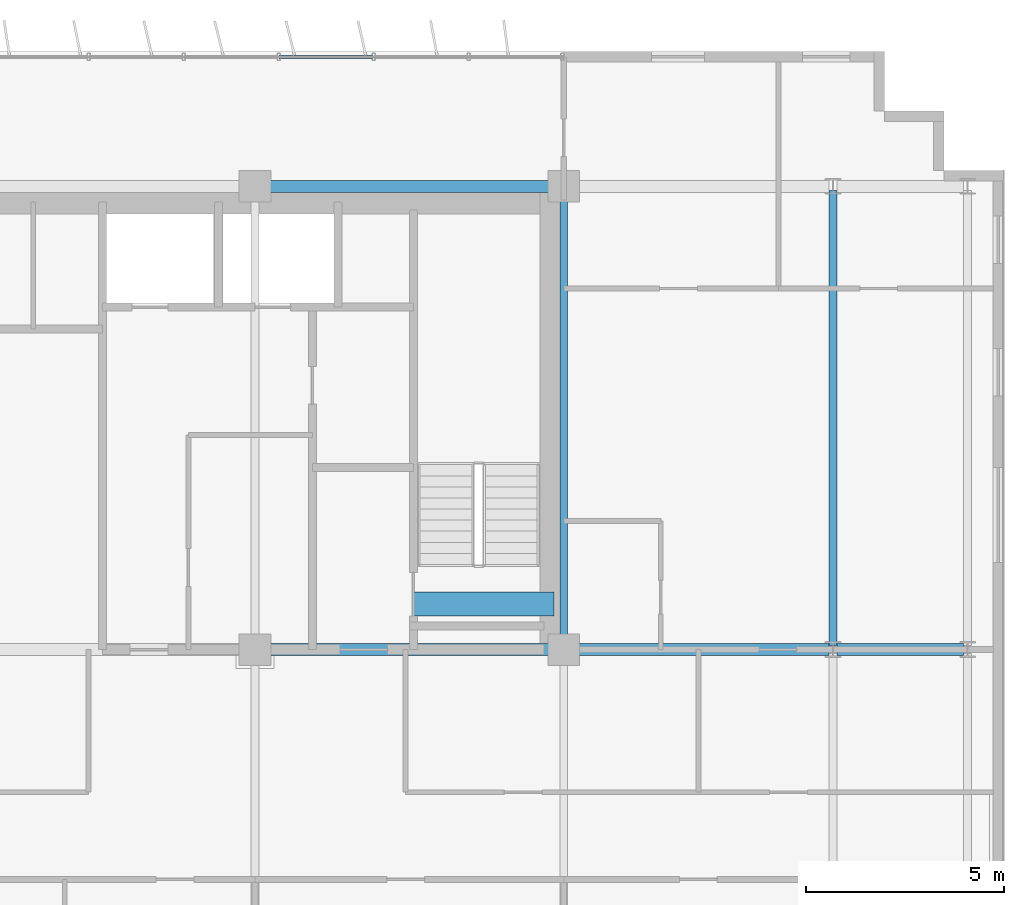
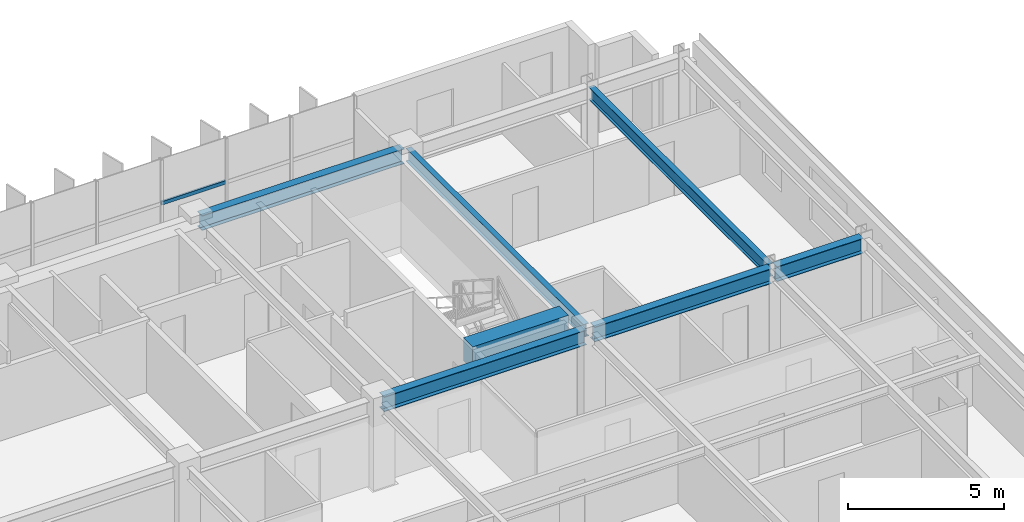
# One storey, part 10 of 22: 7 beams, 1 member, 1 element without a shape of its own.
"""IFC4 building model written with IfcOpenShell, lengths in metres."""

from ifc_helpers import new_model, si_unit, direction, frame, origin, origin_2d, place, context, subcontext, project, spatial, rectangle, hollow_rectangle, i_section, extrude, source, transform, mapped, material, material_profile, profile_set, type_object, element, aggregate, save


model = new_model("IFC4")

# Units and contexts
model_context = context("Model", 3, precision=1e-05, world=origin(), true_north=direction((0.0, 1.0)))
body_context = subcontext(model_context, "Body", "Model", "MODEL_VIEW")
ifc_project = project(units=[si_unit("LENGTHUNIT", "METRE"), si_unit("AREAUNIT", "SQUARE_METRE"), si_unit("VOLUMEUNIT", "CUBIC_METRE"), si_unit("PLANEANGLEUNIT", "RADIAN"), si_unit("MASSUNIT", "GRAM", prefix="KILO")], contexts=[model_context])

# Site, building, storey
site_placement = place(None, origin())
site = spatial("IfcSite", under=ifc_project, at=site_placement, CompositionType="ELEMENT")
building_placement = place(site_placement, origin())
building = spatial("IfcBuilding", under=site, at=building_placement, Name="Trelvane Seafront Commons", CompositionType="ELEMENT")
storey_placement = place(building_placement, frame((0.0, 0.0, 121.300048828125)))
storey = spatial("IfcBuildingStorey", under=building, at=storey_placement, Name="L31", CompositionType="ELEMENT", Elevation=121.300048828125)

# Beams
ifc_material_1 = material(Name="Concrete C60/75", Category="concrete")
ifc_material_profile_1 = material_profile(ifc_material_1, rectangle(XDim=0.60009765625, YDim=0.89990234375, at=origin_2d()), Name="RC-600x900")
ifc_profile_set_1 = profile_set([ifc_material_profile_1], Name="Concrete C60/75")
beam_type_1 = type_object("IfcBeamType", Name="STR-LNT-RC600x900", PredefinedType="LINTEL", material=ifc_profile_set_1)
shared_shape_1 = source(origin(), body_context, "Body", "SweptSolid", [
    extrude(rectangle(XDim=0.60009765625, YDim=0.89990234375, at=origin_2d()), origin(), (0.0, 0.0, 1.0), 3.550048828125),
])
beam_1_placement = place(storey_placement, frame((55.0, 34.550048828125, 2.889892578125), z_axis=(1.0, 0.0, 0.0), x_axis=(0.0, 1.0, 0.0)))
element("IfcBeam", 1, at=beam_1_placement, inside=storey, type_object=beam_type_1, Name="L31 Core Coupling Lintel Beam CB-84", PredefinedType="LINTEL", context=body_context, shape_type="MappedRepresentation", body=[
    mapped(shared_shape_1, transform((0.0, 0.0, 0.0), x_axis=(1.0, 0.0, 0.0), y_axis=(0.0, 1.0, 0.0), z_axis=(0.0, 0.0, 1.0), scale=1.0)),
])
ifc_material_2 = material(Name="Steel SM355 (S355)", Category="steel")
ifc_material_profile_2 = material_profile(ifc_material_2, i_section(OverallWidth=0.300048828125, OverallDepth=0.587890625, WebThickness=0.011962890625, FlangeThickness=0.02001953125, at=origin_2d()), Name="H-588x300x12x20")
ifc_profile_set_2 = profile_set([ifc_material_profile_2], Name="Steel SM355 (S355)")
beam_type_2 = type_object("IfcBeamType", Name="STR-BM-H588", PredefinedType="BEAM", material=ifc_profile_set_2)
shared_shape_2 = source(origin(), body_context, "Body", "SweptSolid", [
    extrude(i_section(OverallWidth=0.300048828125, OverallDepth=0.587890625, WebThickness=0.011962890625, FlangeThickness=0.02001953125, at=origin_2d()), origin(), (0.0, 0.0, 1.0), 3.199951171875),
])
beam_2_placement = place(storey_placement, frame((65.699951171875, 33.39990234375, 3.0458984375), z_axis=(1.0, 0.0, 0.0), x_axis=(0.0, 1.0, 0.0)))
element("IfcBeam", 2, at=beam_2_placement, inside=storey, type_object=beam_type_2, Name="L31 Primary Girder G-27", PredefinedType="BEAM", context=body_context, shape_type="MappedRepresentation", body=[
    mapped(shared_shape_2, transform((0.0, 0.0, 0.0), x_axis=(1.0, 0.0, 0.0), y_axis=(0.0, 1.0, 0.0), z_axis=(0.0, 0.0, 1.0), scale=1.0)),
])
shared_shape_3 = source(origin(), body_context, "Body", "SweptSolid", [
    extrude(i_section(OverallWidth=0.300048828125, OverallDepth=0.587890625, WebThickness=0.011962890625, FlangeThickness=0.02001953125, at=origin_2d()), origin(), (0.0, 0.0, 1.0), 6.550048828125),
])
beam_3_placement = place(storey_placement, frame((58.949951171875, 33.39990234375, 3.0458984375), z_axis=(1.0, 0.0, 0.0), x_axis=(0.0, 1.0, 0.0)))
element("IfcBeam", 3, at=beam_3_placement, inside=storey, type_object=beam_type_2, Name="L31 Primary Girder G-26", PredefinedType="BEAM", context=body_context, shape_type="MappedRepresentation", body=[
    mapped(shared_shape_3, transform((0.0, 0.0, 0.0), x_axis=(1.0, 0.0, 0.0), y_axis=(0.0, 1.0, 0.0), z_axis=(0.0, 0.0, 1.0), scale=1.0)),
])
shared_shape_4 = source(origin(), body_context, "Body", "SweptSolid", [
    extrude(i_section(OverallWidth=0.300048828125, OverallDepth=0.587890625, WebThickness=0.011962890625, FlangeThickness=0.02001953125, at=origin_2d()), origin(), (0.0, 0.0, 1.0), 7.5),
])
for number, where, z_axis, x_axis, name in (
    (4, (51.14990234375, 33.39990234375, 3.0458984375), (1.0, 0.0, 0.0), (0.0, 1.0, 0.0), "L31 Primary Girder G-25"),
    (5, (51.14990234375, 45.10009765625, 3.0458984375), (1.0, 0.0, 0.0), (0.0, 1.0, 0.0), "L31 Primary Girder G-34"),
):
    element("IfcBeam", number, at=place(storey_placement, frame(where, z_axis=z_axis, x_axis=x_axis)), inside=storey, type_object=beam_type_2, Name=name, PredefinedType="BEAM", context=body_context, shape_type="MappedRepresentation", body=[
        mapped(shared_shape_4, transform((0.0, 0.0, 0.0), x_axis=(1.0, 0.0, 0.0), y_axis=(0.0, 1.0, 0.0), z_axis=(0.0, 0.0, 1.0), scale=1.0)),
    ])
ifc_material_profile_3 = material_profile(ifc_material_2, i_section(OverallWidth=0.199951171875, OverallDepth=0.5, WebThickness=0.010009765625, FlangeThickness=0.01611328125, at=origin_2d()), Name="H-500x200x10x16")
ifc_profile_set_3 = profile_set([ifc_material_profile_3], Name="Steel SM355 (S355)")
beam_type_3 = type_object("IfcBeamType", Name="STR-BM-H500", PredefinedType="BEAM", material=ifc_profile_set_3)
shared_shape_5 = source(origin(), body_context, "Body", "SweptSolid", [
    extrude(i_section(OverallWidth=0.199951171875, OverallDepth=0.5, WebThickness=0.010009765625, FlangeThickness=0.01611328125, at=origin_2d()), origin(), (0.0, 0.0, 1.0), 11.5),
])
beam_4_placement = place(storey_placement, frame((65.60009765625, 33.5, 3.08984375), z_axis=(0.0, 1.0, 0.0), x_axis=(-1.0, 0.0, 0.0)))
element("IfcBeam", 6, at=beam_4_placement, inside=storey, type_object=beam_type_3, Name="L31 Primary Girder G-63", PredefinedType="BEAM", context=body_context, shape_type="MappedRepresentation", body=[
    mapped(shared_shape_5, transform((0.0, 0.0, 0.0), x_axis=(1.0, 0.0, 0.0), y_axis=(0.0, 1.0, 0.0), z_axis=(0.0, 0.0, 1.0), scale=1.0)),
])
shared_shape_6 = source(origin(), body_context, "Body", "SweptSolid", [
    extrude(i_section(OverallWidth=0.199951171875, OverallDepth=0.5, WebThickness=0.010009765625, FlangeThickness=0.01611328125, at=origin_2d()), origin(), (0.0, 0.0, 1.0), 11.39990234375),
])
beam_5_placement = place(storey_placement, frame((58.800048828125, 33.550048828125, 3.08984375), z_axis=(0.0, 1.0, 0.0), x_axis=(-1.0, 0.0, 0.0)))
element("IfcBeam", 7, at=beam_5_placement, inside=storey, type_object=beam_type_3, Name="L31 Primary Girder G-60", PredefinedType="BEAM", context=body_context, shape_type="MappedRepresentation", body=[
    mapped(shared_shape_6, transform((0.0, 0.0, 0.0), x_axis=(1.0, 0.0, 0.0), y_axis=(0.0, 1.0, 0.0), z_axis=(0.0, 0.0, 1.0), scale=1.0)),
])

# Curtain wall, member
ifc_material_3 = material(Name="Anodised pale-silver aluminium", Category="aluminium")
curtain_wall_type = type_object("IfcCurtainWallType", Name="ARCH-CW4-SKYLOBBY", PredefinedType="NOTDEFINED", material=ifc_material_3)
curtain_wall_placement = place(storey_placement, origin())
curtain_wall = element("IfcCurtainWall", 8, at=curtain_wall_placement, inside=storey, type_object=curtain_wall_type, Name="CW-L31-0056", PredefinedType="NOTDEFINED")
ifc_material_profile_4 = material_profile(ifc_material_3, hollow_rectangle(XDim=0.074951171875, YDim=0.139892578125, WallThickness=0.00390625, at=origin_2d()), Name="TRAN-75x140x4")
ifc_profile_set_4 = profile_set([ifc_material_profile_4], Name="Anodised pale-silver aluminium")
member_type = type_object("IfcMemberType", Name="ARCH-CW-TRAN-140", PredefinedType="USERDEFINED", material=ifc_profile_set_4)
shared_shape_7 = source(origin(), body_context, "Body", "SweptSolid", [
    extrude(hollow_rectangle(XDim=0.074951171875, YDim=0.139892578125, WallThickness=0.00390625, at=origin_2d()), origin(), (0.0, 0.0, 1.0), 2.3759765625),
])
member_placement = place(storey_placement, frame((51.612060546875, 48.3701171875, 1.60302734375), z_axis=(1.0, 0.0, 0.0), x_axis=(0.0, 1.0, 0.0)))
member = element("IfcMember", 9, at=member_placement, type_object=member_type, Name="CW-L31-0056-T15", ObjectType="TRANSOM", PredefinedType="USERDEFINED", context=body_context, shape_type="MappedRepresentation", body=[
    mapped(shared_shape_7, transform((0.0, 0.0, 0.0), x_axis=(1.0, 0.0, 0.0), y_axis=(0.0, 1.0, 0.0), z_axis=(0.0, 0.0, 1.0), scale=1.0)),
])
aggregate(curtain_wall, [member])

save(model, "model.ifc")
